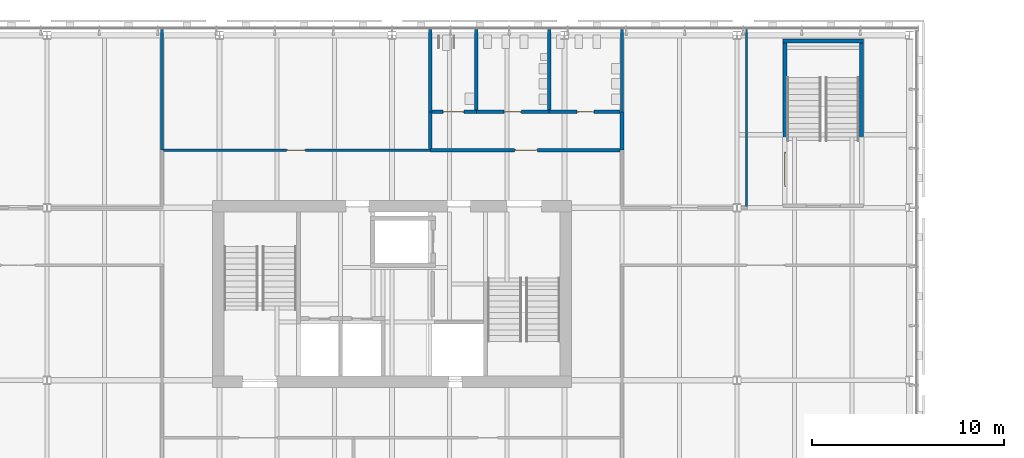
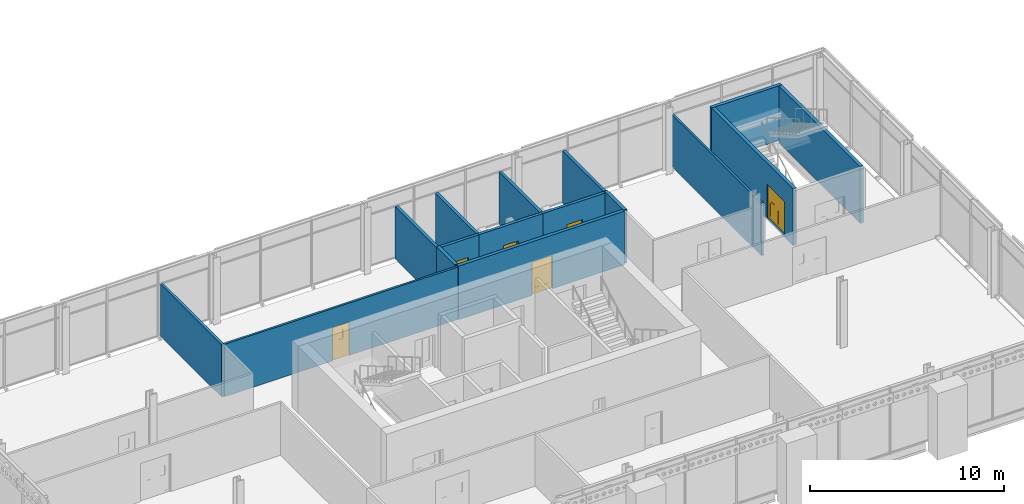
# One storey, part 86 of 123: 16 walls, 6 doors, 6 openings.
"""IFC4 building model written with IfcOpenShell, lengths in metres."""

import ifcopenshell
import ifcopenshell.guid

model = None  # the IFC model being written
_history = None  # IfcOwnerHistory: only IFC2X3 demands one
_inside = {}  # id of a spatial element -> (the spatial element, [elements in it])
_under = {}  # id of a project, library or spatial element -> (it, [spatial elements below it])
_declared = {}  # id of a project -> (the project, [libraries it declares])
_typed = {}  # id of a type object -> (the type object, [elements of that type])
_made_of = {}  # id of a material, layer set ... -> (it, [elements and type objects made of it])


def new_model(schema):
    """Start an empty IFC model of exactly this schema.

    Asked for "IFC4X3", IfcOpenShell would pick the latest addendum, in which some entities
    have other attributes; the version numbers below select the first issue.
    IFC2X3 requires an IfcOwnerHistory on every rooted entity: one is made here for all.
    """
    global model, _history
    if schema == "IFC4X3":
        model = ifcopenshell.file(schema_version=(4, 3, 0, 0))
    else:
        model = ifcopenshell.file(schema=schema)
    _inside.clear()
    _under.clear()
    _declared.clear()
    _typed.clear()
    _made_of.clear()
    _history = None
    if model.schema == "IFC2X3":
        org = make("IfcOrganization", Name="unknown")
        user = make(
            "IfcPersonAndOrganization",
            ThePerson=make("IfcPerson", FamilyName="unknown"),
            TheOrganization=org,
        )
        app = make(
            "IfcApplication",
            ApplicationDeveloper=org,
            Version="unknown",
            ApplicationFullName="unknown",
            ApplicationIdentifier="unknown",
        )
        _history = make(
            "IfcOwnerHistory",
            OwningUser=user,
            OwningApplication=app,
            ChangeAction="ADDED",
            CreationDate=0,
        )
    return model


def make(cls, **values):
    """One entity of the class cls with the attributes given. An attribute that is None is left unset."""
    return model.create_entity(
        cls, **{name: value for name, value in values.items() if value is not None}
    )


def rooted(cls, **values):
    """An entity with a GlobalId (a new one), such as an element, a storey or a relation."""
    return make(cls, GlobalId=ifcopenshell.guid.new(), OwnerHistory=_history, **values)


def si_unit(unit_type, name, prefix=None):
    """IfcSIUnit, for example si_unit("LENGTHUNIT", "METRE", prefix="MILLI")."""
    return make("IfcSIUnit", UnitType=unit_type, Prefix=prefix, Name=name)


def assignment(units):
    """IfcUnitAssignment: the units of a project."""
    return None if units is None else make("IfcUnitAssignment", Units=units)


def point(xyz):
    """IfcCartesianPoint."""
    return None if xyz is None else make("IfcCartesianPoint", Coordinates=xyz)


def direction(xyz):
    """IfcDirection."""
    return None if xyz is None else make("IfcDirection", DirectionRatios=xyz)


def frame(location, z_axis=None, x_axis=None):
    """IfcAxis2Placement3D, a coordinate frame: its origin and axes. An axis left out is left unset."""
    return make(
        "IfcAxis2Placement3D",
        Location=point(location),
        Axis=direction(z_axis),
        RefDirection=direction(x_axis),
    )


def frame_2d(location, x_axis=None):
    """IfcAxis2Placement2D, a coordinate frame in the plane: its origin and x axis."""
    return make(
        "IfcAxis2Placement2D", Location=point(location), RefDirection=direction(x_axis)
    )


def origin():
    """The frame at (0, 0, 0) with its axes left unset."""
    return frame((0.0, 0.0, 0.0))


def place(relative_to, where):
    """IfcLocalPlacement: puts the frame where relative to a parent placement (None: the world)."""
    return make(
        "IfcLocalPlacement", PlacementRelTo=relative_to, RelativePlacement=where
    )


def context(
    kind, dimensions, precision=None, world=None, true_north=None, identifier=None
):
    """IfcGeometricRepresentationContext, for example the 3D "Model" context."""
    return make(
        "IfcGeometricRepresentationContext",
        ContextIdentifier=identifier,
        ContextType=kind,
        CoordinateSpaceDimension=dimensions,
        Precision=precision,
        WorldCoordinateSystem=world,
        TrueNorth=true_north,
    )


def subcontext(parent, identifier, kind, view, scale=None):
    """IfcGeometricRepresentationSubContext, for example "Body" below "Model"."""
    return make(
        "IfcGeometricRepresentationSubContext",
        ContextIdentifier=identifier,
        ContextType=kind,
        ParentContext=parent,
        TargetScale=scale,
        TargetView=view,
    )


def project(units=None, contexts=None):
    """IfcProject with its units and contexts."""
    return rooted(
        "IfcProject",
        Name="project",
        RepresentationContexts=contexts,
        UnitsInContext=assignment(units),
    )


def spatial(cls, under=None, at=None, **own):
    """A site, building, storey or space (cls), placed at a placement, below another one or the project."""
    s = rooted(cls, ObjectPlacement=at, **own)
    if under is not None:
        _under.setdefault(under.id(), (under, []))[1].append(s)
    return s


def polyline(points):
    """IfcPolyline through the points."""
    return make("IfcPolyline", Points=[point(p) for p in points])


def profile(cls, at=None, kind="AREA", **sizes):
    """A parametric profile (cls). Its sizes go by their IFC names, for example OverallWidth=200.0."""
    return make(cls, ProfileType=kind, Position=at, **sizes)


def rectangle(**sizes):
    """IfcRectangleProfileDef."""
    return profile("IfcRectangleProfileDef", **sizes)


def outline(outer, holes=None, kind="AREA"):
    """IfcArbitraryClosedProfileDef: a profile drawn as a closed curve; with holes, ...WithVoids."""
    if holes is None:
        return make("IfcArbitraryClosedProfileDef", ProfileType=kind, OuterCurve=outer)
    return make(
        "IfcArbitraryProfileDefWithVoids",
        ProfileType=kind,
        OuterCurve=outer,
        InnerCurves=holes,
    )


def extrude(swept, where, along, depth):
    """IfcExtrudedAreaSolid: the profile swept, set in the frame where, extruded along a direction by depth."""
    return make(
        "IfcExtrudedAreaSolid",
        SweptArea=swept,
        Position=where,
        ExtrudedDirection=direction(along),
        Depth=depth,
    )


def shape(context_of_items, identifier, shape_type, items):
    """IfcShapeRepresentation: the items that make up one representation, for example the "Body"."""
    return make(
        "IfcShapeRepresentation",
        ContextOfItems=context_of_items,
        RepresentationIdentifier=identifier,
        RepresentationType=shape_type,
        Items=items,
    )


def material(Name=None, Category=None):
    """IfcMaterial."""
    return make("IfcMaterial", Name=Name, Category=Category)


def layer(
    of_material, thickness, ventilated=None, Name=None, Category=None, Priority=None
):
    """IfcMaterialLayer: one layer of a wall or slab, of a material (None: an air gap)."""
    return make(
        "IfcMaterialLayer",
        Material=of_material,
        LayerThickness=thickness,
        IsVentilated=ventilated,
        Name=Name,
        Category=Category,
        Priority=Priority,
    )


def layer_set(layers, Name=None):
    """IfcMaterialLayerSet."""
    return make("IfcMaterialLayerSet", MaterialLayers=layers, LayerSetName=Name)


def made_of(thing, what):
    """Note that an element or type object is made of a material, layer set ...; save() writes the relation."""
    if what is not None:
        _made_of.setdefault(what.id(), (what, []))[1].append(thing)
    return thing


def type_object(cls, material=None, **own):
    """A type object (cls), such as IfcWallType, which elements share."""
    return made_of(rooted(cls, **own), material)


def element(
    cls,
    number,
    at=None,
    inside=None,
    cuts=None,
    type_object=None,
    material=None,
    context=None,
    identifier="Body",
    shape_type=None,
    held_by="IfcProductDefinitionShape",
    body=None,
    shapes=None,
    **own,
):
    """One element of the class cls, such as IfcWall. Its Tag is "e" and its number.

    at: its placement. inside: the storey or other place that contains it. cuts: it is an
    opening in that element (IfcRelVoidsElement). A single representation is given by context,
    identifier, shape_type and body (its items); several are given by shapes. held_by: the class
    of the entity that holds the representations. save() writes the other relations.
    """
    e = rooted(cls, Tag="e%d" % number, ObjectPlacement=at, **own)
    if body is not None:
        shapes = [shape(context, identifier, shape_type, body)]
    if shapes is not None:
        e.Representation = make(held_by, Representations=shapes)
    if inside is not None:
        _inside.setdefault(inside.id(), (inside, []))[1].append(e)
    if cuts is not None:
        rooted(
            "IfcRelVoidsElement", RelatingBuildingElement=cuts, RelatedOpeningElement=e
        )
    if type_object is not None:
        _typed.setdefault(type_object.id(), (type_object, []))[1].append(e)
    return made_of(e, material)


def fill(opening, filler):
    """IfcRelFillsElement: the door or window that sits in an opening."""
    return rooted(
        "IfcRelFillsElement",
        RelatingOpeningElement=opening,
        RelatedBuildingElement=filler,
    )


def aggregate(whole, parts):
    """IfcRelAggregates: a whole, such as a stair, and the parts it consists of."""
    return rooted("IfcRelAggregates", RelatingObject=whole, RelatedObjects=parts)


def save(model, path):
    """Write the relations noted so far, then the file.

    IfcRelAggregates (storeys below a building ...), IfcRelContainedInSpatialStructure (elements
    in a storey), IfcRelDefinesByType, IfcRelAssociatesMaterial and IfcRelDeclares: one each for
    every whole, place, type object, material and project.
    """
    for whole, parts in _under.values():
        aggregate(whole, parts)
    for where, things in _inside.values():
        rooted(
            "IfcRelContainedInSpatialStructure",
            RelatedElements=things,
            RelatingStructure=where,
        )
    for kind, things in _typed.values():
        rooted("IfcRelDefinesByType", RelatedObjects=things, RelatingType=kind)
    for what, things in _made_of.values():
        rooted("IfcRelAssociatesMaterial", RelatedObjects=things, RelatingMaterial=what)
    for by, libraries in _declared.values():
        rooted("IfcRelDeclares", RelatingContext=by, RelatedDefinitions=libraries)
    model.write(path)


model = new_model("IFC4")

# Units and contexts
model_context = context("Model", 3, precision=1e-05, world=origin(), true_north=direction((0.0, 1.0)))
body_context = subcontext(model_context, "Body", "Model", "MODEL_VIEW")
ifc_project = project(units=[si_unit("LENGTHUNIT", "METRE"), si_unit("AREAUNIT", "SQUARE_METRE"), si_unit("VOLUMEUNIT", "CUBIC_METRE"), si_unit("PLANEANGLEUNIT", "RADIAN"), si_unit("MASSUNIT", "GRAM", prefix="KILO")], contexts=[model_context])

# Site, building, storey
site_placement = place(None, origin())
site = spatial("IfcSite", under=ifc_project, at=site_placement, CompositionType="ELEMENT")
building_placement = place(site_placement, origin())
building = spatial("IfcBuilding", under=site, at=building_placement, Name="Baradari Gate Terminus", CompositionType="ELEMENT")
storey_placement = place(building_placement, frame((0.0, 0.0, 7.5)))
storey = spatial("IfcBuildingStorey", under=building, at=storey_placement, Name="L01", CompositionType="ELEMENT", Elevation=7.5)

# Wall, opening, door
ifc_material_1 = material(Name="Gypsum board")
ifc_layer_1 = layer(ifc_material_1, 0.125)
ifc_layer_set_1 = layer_set([ifc_layer_1], Name="Gypsum board")
wall_type_1 = type_object("IfcWallType", Name="Corridor partition PT-5 125 EI 30", PredefinedType="PARTITIONING", material=ifc_layer_set_1)
wall_1_placement = place(storey_placement, frame((24.074951171875, 138.0, 0.0), z_axis=(0.0, 0.0, 1.0), x_axis=(1.0, 0.0, 0.0)))
wall_1 = element("IfcWall", 1, at=wall_1_placement, inside=storey, type_object=wall_type_1, Name="PT-5 partition Corridor / Records Archive", PredefinedType="PARTITIONING", context=body_context, shape_type="SweptSolid", body=[
    extrude(rectangle(XDim=13.925048828125, YDim=0.125, at=frame_2d((6.96240234375, 0.0))), origin(), (0.0, 0.0, 1.0), 3.306884765625),
])
opening_1_placement = place(wall_1_placement, frame((6.425048828125, 0.0, 0.0)))
opening_1 = element("IfcOpeningElement", 2, at=opening_1_placement, cuts=wall_1, Name="Opening D01-032", PredefinedType="OPENING", context=body_context, shape_type="SweptSolid", body=[
    extrude(rectangle(XDim=1.0, YDim=2.10009765625, at=frame_2d((0.5, 1.050048828125))), frame((0.0, 0.072509765625, 0.0), z_axis=(0.0, -1.0, 0.0), x_axis=(1.0, 0.0, 0.0)), (0.0, 0.0, 1.0), 0.14501953125),
])
ifc_material_2 = material(Name="Steel S275", Category="steel")
door_type_1 = type_object("IfcDoorType", Name="Fire door FI-1000-FD30S 1000x2100 FD30S", OperationType="SINGLE_SWING_LEFT", PredefinedType="DOOR", material=ifc_material_2)
door_1_placement = place(opening_1_placement, origin())
door_1 = element("IfcDoor", 3, at=door_1_placement, inside=storey, type_object=door_type_1, Name="Door Records Archive", OperationType="SINGLE_SWING_LEFT", OverallHeight=2.1, OverallWidth=1.0, PredefinedType="DOOR", context=body_context, shape_type="SweptSolid", body=[
    extrude(outline(polyline([(0.0, 0.0), (0.070068359375, 0.0), (0.070068359375, 2.030029296875), (0.929931640625, 2.030029296875), (0.929931640625, 0.0), (1.0, 0.0), (1.0, 2.10009765625), (0.0, 2.10009765625), (0.0, 0.0)])), frame((0.0, 0.02490234375, 0.0), z_axis=(0.0, -1.0, 0.0), x_axis=(1.0, 0.0, 0.0)), (0.0, 0.0, 1.0), 0.050048828125),
    extrude(outline(polyline([(0.073974609375, 0.010009765625), (0.926025390625, 0.010009765625), (0.926025390625, 2.026123046875), (0.073974609375, 2.026123046875), (0.073974609375, 0.010009765625)]), holes=[polyline([(0.194091796875, 0.159912109375), (0.805908203125, 0.159912109375), (0.805908203125, 1.010009765625), (0.194091796875, 1.010009765625), (0.194091796875, 0.159912109375)]), polyline([(0.35009765625, 1.159912109375), (0.64990234375, 1.159912109375), (0.64990234375, 1.760009765625), (0.35009765625, 1.760009765625), (0.35009765625, 1.159912109375)])]), frame((0.0, 0.017333984375, 0.0), z_axis=(0.0, -1.0, 0.0), x_axis=(1.0, 0.0, 0.0)), (0.0, 0.0, 1.0), 0.034912109375),
    extrude(rectangle(XDim=0.61181640625, YDim=0.85009765625, at=frame_2d((0.5, 0.5849609375))), frame((0.0, 0.008544921875, 0.0), z_axis=(0.0, -1.0, 0.0), x_axis=(1.0, 0.0, 0.0)), (0.0, 0.0, 1.0), 0.017333984375),
    extrude(rectangle(XDim=0.2998046875, YDim=0.60009765625, at=frame_2d((0.5, 1.4599609375))), frame((0.0, 0.005859375, 0.0), z_axis=(0.0, -1.0, 0.0), x_axis=(1.0, 0.0, 0.0)), (0.0, 0.0, 1.0), 0.011962890625),
])
fill(opening_1, door_1)

# Wall
wall_2_placement = place(storey_placement, frame((54.5, 135.0625, 0.0), z_axis=(0.0, 0.0, 1.0), x_axis=(0.0, 1.0, 0.0)))
element("IfcWall", 4, at=wall_2_placement, inside=storey, type_object=wall_type_1, Name="PT-5 partition Corridor (Stair Passage) / Prayer Room", PredefinedType="PARTITIONING", context=body_context, shape_type="SweptSolid", body=[
    extrude(rectangle(XDim=9.237548828125, YDim=0.125, at=frame_2d((4.61865234375, 0.0))), origin(), (0.0, 0.0, 1.0), 3.306884765625),
])

# Wall, opening, door
ifc_material_3 = material(Name="Blockwork wall, plastered, fire rated", Category="masonry")
ifc_layer_2 = layer(ifc_material_3, 0.199951171875)
ifc_layer_set_2 = layer_set([ifc_layer_2], Name="Blockwork wall, plastered, fire rated")
wall_type_2 = type_object("IfcWallType", Name="Lobby partition PT-4 200 EI 60", PredefinedType="PARTITIONING", material=ifc_layer_set_2)
wall_3_placement = place(storey_placement, frame((38.0, 138.0, 0.0), z_axis=(0.0, 0.0, 1.0), x_axis=(1.0, 0.0, 0.0)))
wall_3 = element("IfcWall", 5, at=wall_3_placement, inside=storey, type_object=wall_type_2, Name="PT-4 partition Corridor / WC Lobby", PredefinedType="PARTITIONING", context=body_context, shape_type="SweptSolid", body=[
    extrude(rectangle(XDim=9.89990234375, YDim=0.199951171875, at=frame_2d((4.949951171875, 0.0))), origin(), (0.0, 0.0, 1.0), 3.382080078125),
])
opening_2_placement = place(wall_3_placement, frame((4.39990234375, 0.0, 0.0)))
opening_2 = element("IfcOpeningElement", 6, at=opening_2_placement, cuts=wall_3, Name="Opening D01-024", PredefinedType="OPENING", context=body_context, shape_type="SweptSolid", body=[
    extrude(rectangle(XDim=1.199951171875, YDim=2.10009765625, at=frame_2d((0.60009765625, 1.050048828125))), frame((0.0, 0.10986328125, 0.0), z_axis=(0.0, -1.0, 0.0), x_axis=(1.0, 0.0, 0.0)), (0.0, 0.0, 1.0), 0.219970703125),
])
ifc_material_4 = material(Name="Steel S275", Category="steel")
door_type_2 = type_object("IfcDoorType", Name="Fire door FI-1200-FD60S 1200x2100 FD60S", OperationType="DOUBLE_DOOR_SINGLE_SWING", PredefinedType="DOOR", material=ifc_material_4)
door_2_placement = place(opening_2_placement, origin())
door_2 = element("IfcDoor", 7, at=door_2_placement, inside=storey, type_object=door_type_2, Name="Door WC Lobby", OperationType="DOUBLE_DOOR_SINGLE_SWING", OverallHeight=2.1, OverallWidth=1.2, PredefinedType="DOOR", context=body_context, shape_type="SweptSolid", body=[
    extrude(outline(polyline([(0.0, 0.0), (0.070068359375, 0.0), (0.070068359375, 2.030029296875), (1.1298828125, 2.030029296875), (1.1298828125, 0.0), (1.199951171875, 0.0), (1.199951171875, 2.10009765625), (0.0, 2.10009765625), (0.0, 0.0)])), frame((0.0, 0.02490234375, 0.0), z_axis=(0.0, -1.0, 0.0), x_axis=(1.0, 0.0, 0.0)), (0.0, 0.0, 1.0), 0.050048828125),
    extrude(outline(polyline([(0.073974609375, 0.010009765625), (0.596923828125, 0.010009765625), (0.596923828125, 2.026123046875), (0.073974609375, 2.026123046875), (0.073974609375, 0.010009765625)]), holes=[polyline([(0.178466796875, 0.372802734375), (0.492431640625, 0.372802734375), (0.492431640625, 1.7841796875), (0.178466796875, 1.7841796875), (0.178466796875, 0.372802734375)])]), frame((0.0, 0.017333984375, 0.0), z_axis=(0.0, -1.0, 0.0), x_axis=(1.0, 0.0, 0.0)), (0.0, 0.0, 1.0), 0.034912109375),
    extrude(rectangle(XDim=0.31396484375, YDim=1.411376953125, at=frame_2d((0.33544921875, 1.07861328125))), frame((0.0, 0.008544921875, 0.0), z_axis=(0.0, -1.0, 0.0), x_axis=(1.0, 0.0, 0.0)), (0.0, 0.0, 1.0), 0.017333984375),
    extrude(outline(polyline([(0.60302734375, 0.010009765625), (1.1259765625, 0.010009765625), (1.1259765625, 2.026123046875), (0.60302734375, 2.026123046875), (0.60302734375, 0.010009765625)]), holes=[polyline([(0.70751953125, 0.372802734375), (1.021484375, 0.372802734375), (1.021484375, 1.7841796875), (0.70751953125, 1.7841796875), (0.70751953125, 0.372802734375)])]), frame((0.0, 0.017333984375, 0.0), z_axis=(0.0, -1.0, 0.0), x_axis=(1.0, 0.0, 0.0)), (0.0, 0.0, 1.0), 0.034912109375),
    extrude(rectangle(XDim=0.31396484375, YDim=1.411376953125, at=frame_2d((0.864501953125, 1.07861328125))), frame((0.0, 0.008544921875, 0.0), z_axis=(0.0, -1.0, 0.0), x_axis=(1.0, 0.0, 0.0)), (0.0, 0.0, 1.0), 0.017333984375),
])
fill(opening_2, door_2)

# Walls
wall_4_placement = place(storey_placement, frame((48.0, 140.0, 0.0), z_axis=(0.0, 0.0, 1.0), x_axis=(0.0, -1.0, 0.0)))
element("IfcWall", 8, at=wall_4_placement, inside=storey, type_object=wall_type_2, Name="PT-4 partition WC Lobby / Prayer Room", PredefinedType="PARTITIONING", context=body_context, shape_type="SweptSolid", body=[
    extrude(rectangle(XDim=2.0, YDim=0.199951171875, at=frame_2d((1.0, 0.0))), origin(), (0.0, 0.0, 1.0), 3.382080078125),
])
wall_5_placement = place(storey_placement, frame((38.0, 138.10009765625, 0.0), z_axis=(0.0, 0.0, 1.0), x_axis=(0.0, 1.0, 0.0)))
element("IfcWall", 9, at=wall_5_placement, inside=storey, type_object=wall_type_2, Name="PT-4 partition WC Lobby / Records Archive", PredefinedType="PARTITIONING", context=body_context, shape_type="SweptSolid", body=[
    extrude(rectangle(XDim=1.89990234375, YDim=0.199951171875, at=frame_2d((0.949951171875, 0.0))), origin(), (0.0, 0.0, 1.0), 3.382080078125),
])
ifc_material_5 = material(Name="Blockwork wall, plastered", Category="masonry")
ifc_layer_3 = layer(ifc_material_5, 0.14990234375)
ifc_layer_set_3 = layer_set([ifc_layer_3], Name="Blockwork wall, plastered")
wall_type_3 = type_object("IfcWallType", Name="Partition PT-2 150 EI 60", PredefinedType="PARTITIONING", material=ifc_layer_set_3)
wall_6_placement = place(storey_placement, frame((24.0, 144.300048828125, 0.0), z_axis=(0.0, 0.0, 1.0), x_axis=(0.0, -1.0, 0.0)))
element("IfcWall", 10, at=wall_6_placement, inside=storey, type_object=wall_type_3, Name="PT-2 partition Welfare Office / Records Archive", PredefinedType="PARTITIONING", context=body_context, shape_type="SweptSolid", body=[
    extrude(rectangle(XDim=6.300048828125, YDim=0.14990234375, at=frame_2d((3.14990234375, 0.0))), origin(), (0.0, 0.0, 1.0), 3.306884765625),
])
ifc_material_6 = material(Name="Concrete C40/50", Category="concrete")
ifc_layer_4 = layer(ifc_material_6, 0.199951171875)
ifc_layer_set_4 = layer_set([ifc_layer_4], Name="Concrete C40/50")
wall_type_4 = type_object("IfcWallType", Name="Stair enclosure wall SE-2 200 EI 120", PredefinedType="SOLIDWALL", material=ifc_layer_set_4)
wall_7_placement = place(storey_placement, frame((56.39990234375, 143.699951171875, 0.0), z_axis=(0.0, 0.0, 1.0), x_axis=(1.0, 0.0, 0.0)))
element("IfcWall", 11, at=wall_7_placement, inside=storey, type_object=wall_type_4, Name="Stair enclosure wall SE-2 ST-T3 L01 N", PredefinedType="SOLIDWALL", context=body_context, shape_type="SweptSolid", body=[
    extrude(rectangle(XDim=4.2001953125, YDim=0.199951171875, at=frame_2d((2.10009765625, 0.0))), origin(), (0.0, 0.0, 1.0), 3.45703125),
])

# Wall, opening, door
wall_8_placement = place(storey_placement, frame((56.5, 135.199951171875, -0.1298828125), z_axis=(0.0, 0.0, 1.0), x_axis=(0.0, 1.0, 0.0)))
wall_8 = element("IfcWall", 12, at=wall_8_placement, inside=storey, type_object=wall_type_4, Name="Stair enclosure wall SE-2 ST-T3 L01 W", PredefinedType="SOLIDWALL", context=body_context, shape_type="SweptSolid", body=[
    extrude(rectangle(XDim=8.400146484375, YDim=0.199951171875, at=frame_2d((4.2001953125, 0.0))), origin(), (0.0, 0.0, 1.0), 3.5869140625),
])
opening_3_placement = place(wall_8_placement, frame((0.89990234375, 0.0, 0.1298828125)))
opening_3 = element("IfcOpeningElement", 13, at=opening_3_placement, cuts=wall_8, Name="Opening D01-022", PredefinedType="OPENING", context=body_context, shape_type="SweptSolid", body=[
    extrude(rectangle(XDim=1.800048828125, YDim=2.10009765625, at=frame_2d((0.89990234375, 1.050048828125))), frame((0.0, 0.10986328125, 0.0), z_axis=(0.0, -1.0, 0.0), x_axis=(1.0, 0.0, 0.0)), (0.0, 0.0, 1.0), 0.219970703125),
])
ifc_material_7 = material(Name="Steel S275", Category="steel")
door_type_3 = type_object("IfcDoorType", Name="Fire door FI-1800-FD90S 1800x2100 FD90S", OperationType="DOUBLE_DOOR_SINGLE_SWING", PredefinedType="DOOR", material=ifc_material_7)
door_3_placement = place(opening_3_placement, frame((1.800048828125, 0.0, 0.0), z_axis=(0.0, 0.0, 1.0), x_axis=(-1.0, 0.0, 0.0)))
door_3 = element("IfcDoor", 14, at=door_3_placement, inside=storey, type_object=door_type_3, Name="Door Stair (East Core)", OperationType="DOUBLE_DOOR_SINGLE_SWING", OverallHeight=2.1, OverallWidth=1.8, PredefinedType="DOOR", context=body_context, shape_type="SweptSolid", body=[
    extrude(outline(polyline([(0.0, 0.0), (0.070068359375, 0.0), (0.070068359375, 2.030029296875), (1.72998046875, 2.030029296875), (1.72998046875, 0.0), (1.800048828125, 0.0), (1.800048828125, 2.10009765625), (0.0, 2.10009765625), (0.0, 0.0)])), frame((0.0, 0.02490234375, 0.0), z_axis=(0.0, -1.0, 0.0), x_axis=(1.0, 0.0, 0.0)), (0.0, 0.0, 1.0), 0.050048828125),
    extrude(outline(polyline([(0.073974609375, 0.010009765625), (0.89697265625, 0.010009765625), (0.89697265625, 2.026123046875), (0.073974609375, 2.026123046875), (0.073974609375, 0.010009765625)]), holes=[polyline([(0.194091796875, 0.159912109375), (0.77685546875, 0.159912109375), (0.77685546875, 1.010009765625), (0.194091796875, 1.010009765625), (0.194091796875, 0.159912109375)]), polyline([(0.33544921875, 1.159912109375), (0.635498046875, 1.159912109375), (0.635498046875, 1.760009765625), (0.33544921875, 1.760009765625), (0.33544921875, 1.159912109375)])]), frame((0.0, 0.017333984375, 0.0), z_axis=(0.0, -1.0, 0.0), x_axis=(1.0, 0.0, 0.0)), (0.0, 0.0, 1.0), 0.034912109375),
    extrude(rectangle(XDim=0.582763671875, YDim=0.85009765625, at=frame_2d((0.4853515625, 0.5849609375))), frame((0.0, 0.008544921875, 0.0), z_axis=(0.0, -1.0, 0.0), x_axis=(1.0, 0.0, 0.0)), (0.0, 0.0, 1.0), 0.017333984375),
    extrude(rectangle(XDim=0.300048828125, YDim=0.60009765625, at=frame_2d((0.4853515625, 1.4599609375))), frame((0.0, 0.005859375, 0.0), z_axis=(0.0, -1.0, 0.0), x_axis=(1.0, 0.0, 0.0)), (0.0, 0.0, 1.0), 0.011962890625),
    extrude(outline(polyline([(0.903076171875, 0.010009765625), (1.72607421875, 0.010009765625), (1.72607421875, 2.026123046875), (0.903076171875, 2.026123046875), (0.903076171875, 0.010009765625)]), holes=[polyline([(1.023193359375, 0.159912109375), (1.60595703125, 0.159912109375), (1.60595703125, 1.010009765625), (1.023193359375, 1.010009765625), (1.023193359375, 0.159912109375)]), polyline([(1.16455078125, 1.159912109375), (1.464599609375, 1.159912109375), (1.464599609375, 1.760009765625), (1.16455078125, 1.760009765625), (1.16455078125, 1.159912109375)])]), frame((0.0, 0.017333984375, 0.0), z_axis=(0.0, -1.0, 0.0), x_axis=(1.0, 0.0, 0.0)), (0.0, 0.0, 1.0), 0.034912109375),
    extrude(rectangle(XDim=0.582763671875, YDim=0.85009765625, at=frame_2d((1.314453125, 0.5849609375))), frame((0.0, 0.008544921875, 0.0), z_axis=(0.0, -1.0, 0.0), x_axis=(1.0, 0.0, 0.0)), (0.0, 0.0, 1.0), 0.017333984375),
    extrude(rectangle(XDim=0.300048828125, YDim=0.60009765625, at=frame_2d((1.314453125, 1.4599609375))), frame((0.0, 0.005859375, 0.0), z_axis=(0.0, -1.0, 0.0), x_axis=(1.0, 0.0, 0.0)), (0.0, 0.0, 1.0), 0.011962890625),
])
fill(opening_3, door_3)

# Wall
wall_9_placement = place(storey_placement, frame((60.5, 135.199951171875, -0.1298828125), z_axis=(0.0, 0.0, 1.0), x_axis=(0.0, 1.0, 0.0)))
element("IfcWall", 15, at=wall_9_placement, inside=storey, type_object=wall_type_4, Name="Stair enclosure wall SE-2 ST-T3 L01 E", PredefinedType="SOLIDWALL", context=body_context, shape_type="SweptSolid", body=[
    extrude(rectangle(XDim=8.400146484375, YDim=0.199951171875, at=frame_2d((4.2001953125, 0.0))), origin(), (0.0, 0.0, 1.0), 3.5869140625),
])

# Wall, opening, door
ifc_material_8 = material(Name="Blockwork wall, tiled both faces", Category="masonry")
ifc_layer_5 = layer(ifc_material_8, 0.175048828125)
ifc_layer_set_5 = layer_set([ifc_layer_5], Name="Blockwork wall, tiled both faces")
wall_type_5 = type_object("IfcWallType", Name="WC wet wall PT-6 175 EI 60", PredefinedType="PARTITIONING", material=ifc_layer_set_5)
wall_10_placement = place(storey_placement, frame((40.39990234375, 140.0, 0.0), z_axis=(0.0, 0.0, 1.0), x_axis=(1.0, 0.0, 0.0)))
wall_10 = element("IfcWall", 16, at=wall_10_placement, inside=storey, type_object=wall_type_5, Name="PT-6 partition WC Lobby / Male WC", PredefinedType="PARTITIONING", context=body_context, shape_type="SweptSolid", body=[
    extrude(rectangle(XDim=3.800048828125, YDim=0.175048828125, at=frame_2d((1.89990234375, 0.0))), origin(), (0.0, 0.0, 1.0), 3.306884765625),
])
opening_4_placement = place(wall_10_placement, frame((1.449951171875, 0.0, 0.0)))
opening_4 = element("IfcOpeningElement", 17, at=opening_4_placement, cuts=wall_10, Name="Opening D01-026", PredefinedType="OPENING", context=body_context, shape_type="SweptSolid", body=[
    extrude(rectangle(XDim=0.89990234375, YDim=2.10009765625, at=frame_2d((0.449951171875, 1.050048828125))), frame((0.0, 0.097412109375, 0.0), z_axis=(0.0, -1.0, 0.0), x_axis=(1.0, 0.0, 0.0)), (0.0, 0.0, 1.0), 0.195068359375),
])
ifc_material_9 = material(Name="Steel S275", Category="steel")
door_type_4 = type_object("IfcDoorType", Name="Fire door FI-900-FD60S 900x2100 FD60S", OperationType="SINGLE_SWING_LEFT", PredefinedType="DOOR", material=ifc_material_9)
door_4_placement = place(opening_4_placement, origin())
door_4 = element("IfcDoor", 18, at=door_4_placement, inside=storey, type_object=door_type_4, Name="Door Male WC", OperationType="SINGLE_SWING_LEFT", OverallHeight=2.1, OverallWidth=0.9, PredefinedType="DOOR", context=body_context, shape_type="SweptSolid", body=[
    extrude(outline(polyline([(0.0, 0.0), (0.070068359375, 0.0), (0.070068359375, 2.030029296875), (0.829833984375, 2.030029296875), (0.829833984375, 0.0), (0.89990234375, 0.0), (0.89990234375, 2.10009765625), (0.0, 2.10009765625), (0.0, 0.0)])), frame((0.0, 0.02490234375, 0.0), z_axis=(0.0, -1.0, 0.0), x_axis=(1.0, 0.0, 0.0)), (0.0, 0.0, 1.0), 0.050048828125),
    extrude(outline(polyline([(0.073974609375, 0.010009765625), (0.825927734375, 0.010009765625), (0.825927734375, 2.026123046875), (0.073974609375, 2.026123046875), (0.073974609375, 0.010009765625)]), holes=[polyline([(0.194091796875, 0.159912109375), (0.705810546875, 0.159912109375), (0.705810546875, 1.010009765625), (0.194091796875, 1.010009765625), (0.194091796875, 0.159912109375)]), polyline([(0.300048828125, 1.159912109375), (0.599853515625, 1.159912109375), (0.599853515625, 1.760009765625), (0.300048828125, 1.760009765625), (0.300048828125, 1.159912109375)])]), frame((0.0, 0.017333984375, 0.0), z_axis=(0.0, -1.0, 0.0), x_axis=(1.0, 0.0, 0.0)), (0.0, 0.0, 1.0), 0.034912109375),
    extrude(rectangle(XDim=0.51171875, YDim=0.85009765625, at=frame_2d((0.449951171875, 0.5849609375))), frame((0.0, 0.008544921875, 0.0), z_axis=(0.0, -1.0, 0.0), x_axis=(1.0, 0.0, 0.0)), (0.0, 0.0, 1.0), 0.017333984375),
    extrude(rectangle(XDim=0.2998046875, YDim=0.60009765625, at=frame_2d((0.449951171875, 1.4599609375))), frame((0.0, 0.005859375, 0.0), z_axis=(0.0, -1.0, 0.0), x_axis=(1.0, 0.0, 0.0)), (0.0, 0.0, 1.0), 0.011962890625),
])
fill(opening_4, door_4)

wall_11_placement = place(storey_placement, frame((44.199951171875, 140.0, 0.0), z_axis=(0.0, 0.0, 1.0), x_axis=(1.0, 0.0, 0.0)))
wall_11 = element("IfcWall", 19, at=wall_11_placement, inside=storey, type_object=wall_type_5, Name="PT-6 partition WC Lobby / Female WC", PredefinedType="PARTITIONING", context=body_context, shape_type="SweptSolid", body=[
    extrude(rectangle(XDim=3.699951171875, YDim=0.175048828125, at=frame_2d((1.85009765625, 0.0))), origin(), (0.0, 0.0, 1.0), 3.306884765625),
])
opening_5_placement = place(wall_11_placement, frame((1.449951171875, 0.0, 0.0)))
opening_5 = element("IfcOpeningElement", 20, at=opening_5_placement, cuts=wall_11, Name="Opening D01-027", PredefinedType="OPENING", context=body_context, shape_type="SweptSolid", body=[
    extrude(rectangle(XDim=0.89990234375, YDim=2.10009765625, at=frame_2d((0.449951171875, 1.050048828125))), frame((0.0, 0.097412109375, 0.0), z_axis=(0.0, -1.0, 0.0), x_axis=(1.0, 0.0, 0.0)), (0.0, 0.0, 1.0), 0.195068359375),
])
door_5_placement = place(opening_5_placement, origin())
door_5 = element("IfcDoor", 21, at=door_5_placement, inside=storey, type_object=door_type_4, Name="Door Female WC", OperationType="SINGLE_SWING_LEFT", OverallHeight=2.1, OverallWidth=0.9, PredefinedType="DOOR", context=body_context, shape_type="SweptSolid", body=[
    extrude(outline(polyline([(0.0, 0.0), (0.070068359375, 0.0), (0.070068359375, 2.030029296875), (0.829833984375, 2.030029296875), (0.829833984375, 0.0), (0.89990234375, 0.0), (0.89990234375, 2.10009765625), (0.0, 2.10009765625), (0.0, 0.0)])), frame((0.0, 0.02490234375, 0.0), z_axis=(0.0, -1.0, 0.0), x_axis=(1.0, 0.0, 0.0)), (0.0, 0.0, 1.0), 0.050048828125),
    extrude(outline(polyline([(0.073974609375, 0.010009765625), (0.825927734375, 0.010009765625), (0.825927734375, 2.026123046875), (0.073974609375, 2.026123046875), (0.073974609375, 0.010009765625)]), holes=[polyline([(0.194091796875, 0.159912109375), (0.705810546875, 0.159912109375), (0.705810546875, 1.010009765625), (0.194091796875, 1.010009765625), (0.194091796875, 0.159912109375)]), polyline([(0.300048828125, 1.159912109375), (0.599853515625, 1.159912109375), (0.599853515625, 1.760009765625), (0.300048828125, 1.760009765625), (0.300048828125, 1.159912109375)])]), frame((0.0, 0.017333984375, 0.0), z_axis=(0.0, -1.0, 0.0), x_axis=(1.0, 0.0, 0.0)), (0.0, 0.0, 1.0), 0.034912109375),
    extrude(rectangle(XDim=0.51171875, YDim=0.85009765625, at=frame_2d((0.449951171875, 0.5849609375))), frame((0.0, 0.008544921875, 0.0), z_axis=(0.0, -1.0, 0.0), x_axis=(1.0, 0.0, 0.0)), (0.0, 0.0, 1.0), 0.017333984375),
    extrude(rectangle(XDim=0.2998046875, YDim=0.60009765625, at=frame_2d((0.449951171875, 1.4599609375))), frame((0.0, 0.005859375, 0.0), z_axis=(0.0, -1.0, 0.0), x_axis=(1.0, 0.0, 0.0)), (0.0, 0.0, 1.0), 0.011962890625),
])
fill(opening_5, door_5)

wall_12_placement = place(storey_placement, frame((38.10009765625, 140.0, 0.0), z_axis=(0.0, 0.0, 1.0), x_axis=(1.0, 0.0, 0.0)))
wall_12 = element("IfcWall", 22, at=wall_12_placement, inside=storey, type_object=wall_type_5, Name="PT-6 partition WC Lobby / Accessible WC", PredefinedType="PARTITIONING", context=body_context, shape_type="SweptSolid", body=[
    extrude(rectangle(XDim=2.2998046875, YDim=0.175048828125, at=frame_2d((1.14990234375, 0.0))), origin(), (0.0, 0.0, 1.0), 3.306884765625),
])
opening_6_placement = place(wall_12_placement, frame((0.550048828125, 0.0, 0.0)))
opening_6 = element("IfcOpeningElement", 23, at=opening_6_placement, cuts=wall_12, Name="Opening D01-025", PredefinedType="OPENING", context=body_context, shape_type="SweptSolid", body=[
    extrude(rectangle(XDim=1.10009765625, YDim=2.10009765625, at=frame_2d((0.550048828125, 1.050048828125))), frame((0.0, 0.097412109375, 0.0), z_axis=(0.0, -1.0, 0.0), x_axis=(1.0, 0.0, 0.0)), (0.0, 0.0, 1.0), 0.195068359375),
])
ifc_material_10 = material(Name="Steel S275", Category="steel")
door_type_5 = type_object("IfcDoorType", Name="Fire door FI-1100-FD60S 1100x2100 FD60S", OperationType="SINGLE_SWING_LEFT", PredefinedType="DOOR", material=ifc_material_10)
door_6_placement = place(opening_6_placement, origin())
door_6 = element("IfcDoor", 24, at=door_6_placement, inside=storey, type_object=door_type_5, Name="Door Accessible WC", OperationType="SINGLE_SWING_LEFT", OverallHeight=2.1, OverallWidth=1.1, PredefinedType="DOOR", context=body_context, shape_type="SweptSolid", body=[
    extrude(outline(polyline([(0.0, 0.0), (0.070068359375, 0.0), (0.070068359375, 2.030029296875), (1.030029296875, 2.030029296875), (1.030029296875, 0.0), (1.10009765625, 0.0), (1.10009765625, 2.10009765625), (0.0, 2.10009765625), (0.0, 0.0)])), frame((0.0, 0.02490234375, 0.0), z_axis=(0.0, -1.0, 0.0), x_axis=(1.0, 0.0, 0.0)), (0.0, 0.0, 1.0), 0.050048828125),
    extrude(outline(polyline([(0.073974609375, 0.010009765625), (1.026123046875, 0.010009765625), (1.026123046875, 2.026123046875), (0.073974609375, 2.026123046875), (0.073974609375, 0.010009765625)]), holes=[polyline([(0.194091796875, 0.159912109375), (0.906005859375, 0.159912109375), (0.906005859375, 1.010009765625), (0.194091796875, 1.010009765625), (0.194091796875, 0.159912109375)]), polyline([(0.400146484375, 1.159912109375), (0.699951171875, 1.159912109375), (0.699951171875, 1.760009765625), (0.400146484375, 1.760009765625), (0.400146484375, 1.159912109375)])]), frame((0.0, 0.017333984375, 0.0), z_axis=(0.0, -1.0, 0.0), x_axis=(1.0, 0.0, 0.0)), (0.0, 0.0, 1.0), 0.034912109375),
    extrude(rectangle(XDim=0.7119140625, YDim=0.85009765625, at=frame_2d((0.550048828125, 0.5849609375))), frame((0.0, 0.008544921875, 0.0), z_axis=(0.0, -1.0, 0.0), x_axis=(1.0, 0.0, 0.0)), (0.0, 0.0, 1.0), 0.017333984375),
    extrude(rectangle(XDim=0.2998046875, YDim=0.60009765625, at=frame_2d((0.550048828125, 1.4599609375))), frame((0.0, 0.005859375, 0.0), z_axis=(0.0, -1.0, 0.0), x_axis=(1.0, 0.0, 0.0)), (0.0, 0.0, 1.0), 0.011962890625),
])
fill(opening_6, door_6)

# Walls
wall_13_placement = place(storey_placement, frame((38.0, 140.0, 0.0), z_axis=(0.0, 0.0, 1.0), x_axis=(0.0, 1.0, 0.0)))
element("IfcWall", 25, at=wall_13_placement, inside=storey, type_object=wall_type_5, Name="PT-6 partition Accessible WC / Records Archive", PredefinedType="PARTITIONING", context=body_context, shape_type="SweptSolid", body=[
    extrude(rectangle(XDim=4.300048828125, YDim=0.175048828125, at=frame_2d((2.14990234375, 0.0))), origin(), (0.0, 0.0, 1.0), 3.306884765625),
])
for number, where, z_axis, x_axis, name in (
    (26, (40.39990234375, 144.300048828125, 0.0), (0.0, 0.0, 1.0), (0.0, -1.0, 0.0), "PT-6 partition Accessible WC / Male WC"),
    (27, (44.199951171875, 144.300048828125, 0.0), (0.0, 0.0, 1.0), (0.0, -1.0, 0.0), "PT-6 partition Male WC / Female WC"),
):
    element("IfcWall", number, at=place(storey_placement, frame(where, z_axis=z_axis, x_axis=x_axis)), inside=storey, type_object=wall_type_5, Name=name, PredefinedType="PARTITIONING", context=body_context, shape_type="SweptSolid", body=[
        extrude(rectangle(XDim=4.212646484375, YDim=0.175048828125, at=frame_2d((2.1064453125, 0.0))), origin(), (0.0, 0.0, 1.0), 3.306884765625),
    ])
wall_14_placement = place(storey_placement, frame((48.0, 144.300048828125, 0.0), z_axis=(0.0, 0.0, 1.0), x_axis=(0.0, -1.0, 0.0)))
element("IfcWall", 28, at=wall_14_placement, inside=storey, type_object=wall_type_5, Name="PT-6 partition Female WC / Prayer Room", PredefinedType="PARTITIONING", context=body_context, shape_type="SweptSolid", body=[
    extrude(rectangle(XDim=4.300048828125, YDim=0.175048828125, at=frame_2d((2.14990234375, 0.0))), origin(), (0.0, 0.0, 1.0), 3.306884765625),
])

save(model, "model.ifc")
